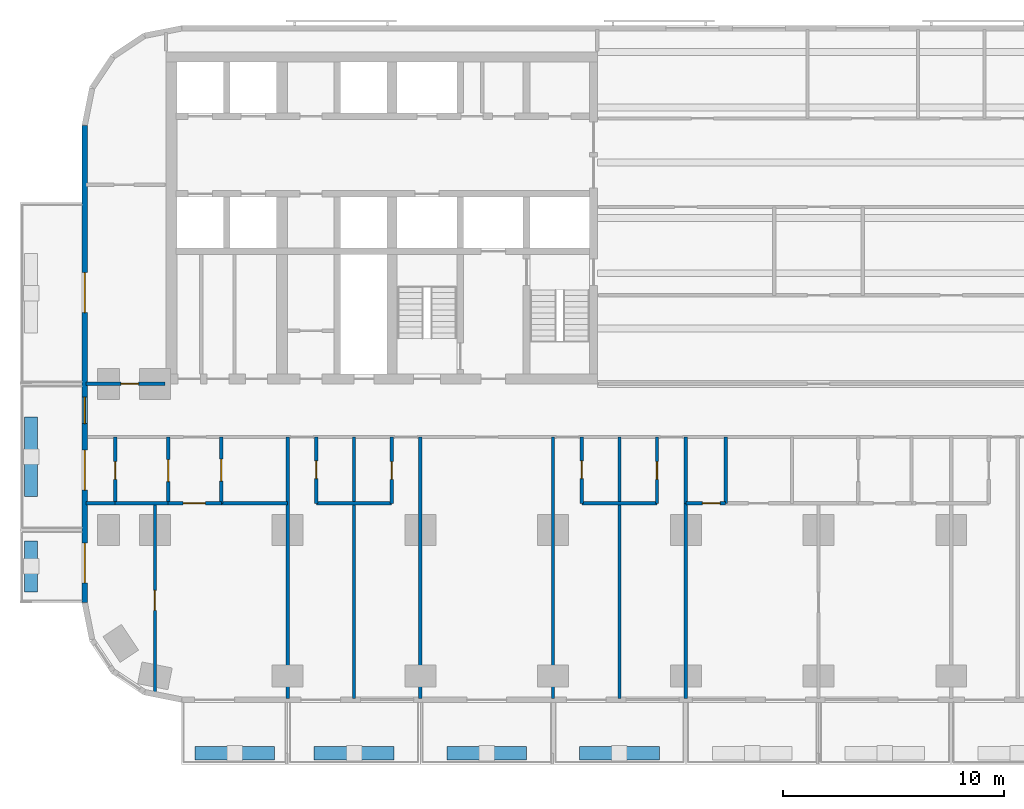
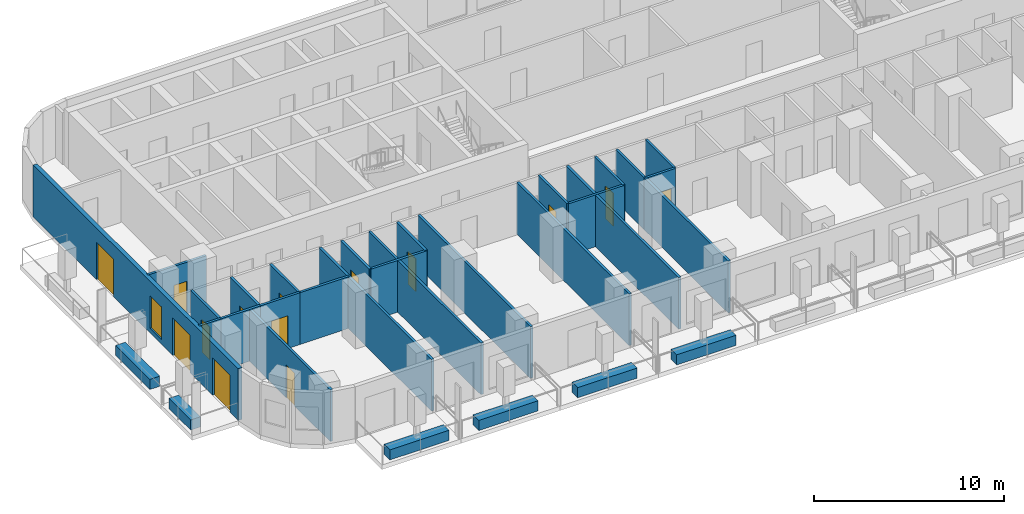
# One storey, part 2 of 15: 31 walls, 14 doors, 1 window, 15 openings.
"""IFC4 building model written with IfcOpenShell, lengths in metres."""

from ifc_helpers import new_model, si_unit, direction, frame, frame_2d, origin, place, context, subcontext, project, spatial, rectangle, extrude, material, layer, layer_set, type_object, element, fill, save


model = new_model("IFC4")

# Units and contexts
model_context = context("Model", 3, precision=1e-05, world=origin(), true_north=direction((0.0, 1.0)))
body_context = subcontext(model_context, "Body", "Model", "MODEL_VIEW")
ifc_project = project(units=[si_unit("LENGTHUNIT", "METRE"), si_unit("AREAUNIT", "SQUARE_METRE"), si_unit("VOLUMEUNIT", "CUBIC_METRE"), si_unit("PLANEANGLEUNIT", "RADIAN"), si_unit("MASSUNIT", "GRAM", prefix="KILO")], contexts=[model_context])

# Site, building, storey
site_placement = place(None, origin())
site = spatial("IfcSite", under=ifc_project, at=site_placement, CompositionType="ELEMENT")
building_placement = place(site_placement, origin())
building = spatial("IfcBuilding", under=site, at=building_placement, Name="Torana Hotel and Residences", CompositionType="ELEMENT")
storey_placement = place(building_placement, frame((0.0, 0.0, 45.60009765625)))
storey = spatial("IfcBuildingStorey", under=building, at=storey_placement, Name="L10", CompositionType="ELEMENT", Elevation=45.60009765625)

# Wall, openings, doors, window
ifc_material_1 = material(Name="Black aluminium composite panel", Category="aluminium")
ifc_layer_1 = layer(ifc_material_1, 0.00390625, Name="Cladding", Category="cladding")
ifc_material_2 = material(Name="Ventilated air cavity")
ifc_layer_2 = layer(ifc_material_2, 0.0400390625, Name="Ventilated cavity", Category="cavity")
ifc_material_3 = material(Name="Mineral wool insulation")
ifc_layer_3 = layer(ifc_material_3, 0.090087890625, Name="Insulation", Category="insulation")
ifc_material_4 = material(Name="Steel S280GD", Category="steel")
ifc_layer_4 = layer(ifc_material_4, 0.092041015625, Name="Steel stud frame", Category="structure")
ifc_material_5 = material(Name="Fire rated plasterboard")
ifc_layer_5 = layer(ifc_material_5, 0.011962890625, Name="Inner board", Category="finish")
ifc_layer_6 = layer(ifc_material_5, 0.011962890625, Name="Second board", Category="finish")
ifc_layer_set_1 = layer_set([ifc_layer_1, ifc_layer_2, ifc_layer_3, ifc_layer_4, ifc_layer_5, ifc_layer_6], Name="EW1 EXTERNAL WALL BLACK METAL CLAD 250")
wall_type_1 = type_object("IfcWallType", Name="EW1 EXTERNAL WALL BLACK METAL CLAD 250", PredefinedType="SOLIDWALL", material=ifc_layer_set_1)
wall_1_placement = place(storey_placement, frame((-33.175048828125, -3.32470703125, 0.0), z_axis=(0.0, 0.0, 1.0), x_axis=(0.0, -1.0, 0.0)))
wall_1 = element("IfcWall", 1, at=wall_1_placement, inside=storey, type_object=wall_type_1, Name="External wall L10 e0.9", PredefinedType="SOLIDWALL", context=body_context, shape_type="SweptSolid", body=[
    extrude(rectangle(XDim=21.55078125, YDim=0.25, at=frame_2d((10.775390625, 0.0))), origin(), (0.0, 0.0, 1.0), 3.31982421875),
])
opening_1_placement = place(wall_1_placement, frame((6.650390625, 0.0, 0.0)))
opening_1 = element("IfcOpeningElement", 2, at=opening_1_placement, cuts=wall_1, Name="Opening L10-E14", PredefinedType="OPENING", context=body_context, shape_type="SweptSolid", body=[
    extrude(rectangle(XDim=1.800048828125, YDim=2.39990234375, at=frame_2d((0.89990234375, 1.199951171875))), frame((0.0, 0.135009765625, 0.0), z_axis=(0.0, -1.0, 0.0), x_axis=(1.0, 0.0, 0.0)), (0.0, 0.0, 1.0), 0.27001953125),
])
opening_2_placement = place(wall_1_placement, frame((12.275390625, 0.0, 0.300048828125)))
opening_2 = element("IfcOpeningElement", 3, at=opening_2_placement, cuts=wall_1, Name="Opening W7", PredefinedType="OPENING", context=body_context, shape_type="SweptSolid", body=[
    extrude(rectangle(XDim=1.199951171875, YDim=2.10009765625, at=frame_2d((0.60009765625, 1.050048828125))), frame((0.0, 0.135009765625, 0.0), z_axis=(0.0, -1.0, 0.0), x_axis=(1.0, 0.0, 0.0)), (0.0, 0.0, 1.0), 0.27001953125),
])
opening_3_placement = place(wall_1_placement, frame((14.67529296875, 0.0, 0.0)))
opening_3 = element("IfcOpeningElement", 4, at=opening_3_placement, cuts=wall_1, Name="Opening L10-E15", PredefinedType="OPENING", context=body_context, shape_type="SweptSolid", body=[
    extrude(rectangle(XDim=1.800048828125, YDim=2.39990234375, at=frame_2d((0.89990234375, 1.199951171875))), frame((0.0, 0.135009765625, 0.0), z_axis=(0.0, -1.0, 0.0), x_axis=(1.0, 0.0, 0.0)), (0.0, 0.0, 1.0), 0.27001953125),
])
opening_4_placement = place(wall_1_placement, frame((18.87548828125, 0.0, 0.0)))
opening_4 = element("IfcOpeningElement", 5, at=opening_4_placement, cuts=wall_1, Name="Opening L10-E16", PredefinedType="OPENING", context=body_context, shape_type="SweptSolid", body=[
    extrude(rectangle(XDim=1.800048828125, YDim=2.39990234375, at=frame_2d((0.89990234375, 1.199951171875))), frame((0.0, 0.135009765625, 0.0), z_axis=(0.0, -1.0, 0.0), x_axis=(1.0, 0.0, 0.0)), (0.0, 0.0, 1.0), 0.27001953125),
])
ifc_material_6 = material(Name="Dark glass in black aluminium frame", Category="aluminium")
door_type_1 = type_object("IfcDoorType", Name="DB1 BALCONY DOOR 1800x2400", OperationType="DOUBLE_DOOR_SINGLE_SWING", PredefinedType="DOOR", material=ifc_material_6)
door_1_placement = place(opening_1_placement, origin())
door_1 = element("IfcDoor", 6, at=door_1_placement, inside=storey, type_object=door_type_1, Name="Balcony door L10", OperationType="DOUBLE_DOOR_SINGLE_SWING", OverallHeight=2.39990234375, OverallWidth=1.800048828125, PredefinedType="DOOR", context=body_context, shape_type="SweptSolid", body=[
    extrude(rectangle(XDim=1.800048828125, YDim=2.39990234375, at=frame_2d((0.89990234375, 1.199951171875))), frame((0.0, 0.02490234375, 0.0), z_axis=(0.0, -1.0, 0.0), x_axis=(1.0, 0.0, 0.0)), (0.0, 0.0, 1.0), 0.050048828125),
])
fill(opening_1, door_1)
door_2_placement = place(opening_3_placement, origin())
door_2 = element("IfcDoor", 7, at=door_2_placement, inside=storey, type_object=door_type_1, Name="Balcony door L10", OperationType="DOUBLE_DOOR_SINGLE_SWING", OverallHeight=2.39990234375, OverallWidth=1.800048828125, PredefinedType="DOOR", context=body_context, shape_type="SweptSolid", body=[
    extrude(rectangle(XDim=1.800048828125, YDim=2.39990234375, at=frame_2d((0.89990234375, 1.199951171875))), frame((0.0, 0.02490234375, 0.0), z_axis=(0.0, -1.0, 0.0), x_axis=(1.0, 0.0, 0.0)), (0.0, 0.0, 1.0), 0.050048828125),
])
fill(opening_3, door_2)
door_3_placement = place(opening_4_placement, frame((0.89990234375, 0.0, 0.0), z_axis=(0.0, 0.0, 1.0), x_axis=(-1.0, 0.0, 0.0)))
door_3 = element("IfcDoor", 8, at=door_3_placement, inside=storey, type_object=door_type_1, Name="Balcony door L10", OperationType="DOUBLE_DOOR_SINGLE_SWING", OverallHeight=2.39990234375, OverallWidth=1.800048828125, PredefinedType="DOOR", context=body_context, shape_type="SweptSolid", body=[
    extrude(rectangle(XDim=1.800048828125, YDim=2.39990234375, at=frame_2d((0.0, 1.199951171875))), frame((0.0, -0.02490234375, 0.0), z_axis=(0.0, 1.0, 0.0), x_axis=(-1.0, 0.0, 0.0)), (0.0, 0.0, 1.0), 0.050048828125),
])
fill(opening_4, door_3)
ifc_material_7 = material(Name="Dark glass in black aluminium frame", Category="aluminium")
window_type = type_object("IfcWindowType", Name="W7 HOTEL CORRIDOR WINDOW 1200x2100", PartitioningType="SINGLE_PANEL", PredefinedType="WINDOW", material=ifc_material_7)
window_placement = place(opening_2_placement, origin())
window = element("IfcWindow", 9, at=window_placement, inside=storey, type_object=window_type, Name="Window L10", OverallHeight=2.10009765625, OverallWidth=1.199951171875, PartitioningType="SINGLE_PANEL", PredefinedType="WINDOW", context=body_context, shape_type="SweptSolid", body=[
    extrude(rectangle(XDim=1.199951171875, YDim=2.10009765625, at=frame_2d((0.60009765625, 1.050048828125))), frame((0.0, 0.030029296875, 0.0), z_axis=(0.0, -1.0, 0.0), x_axis=(1.0, 0.0, 0.0)), (0.0, 0.0, 1.0), 0.06005859375),
])
fill(opening_2, window)

# Wall, opening, door
ifc_material_8 = material(Name="Gypsum plaster")
ifc_layer_7 = layer(ifc_material_8, 0.014892578125, Name="Plaster", Category="finish")
ifc_material_9 = material(Name="Concrete blockwork", Category="masonry")
ifc_layer_8 = layer(ifc_material_9, 0.1201171875, Name="Blockwork", Category="structure")
ifc_layer_9 = layer(ifc_material_8, 0.014892578125, Name="Plaster", Category="finish")
ifc_layer_set_2 = layer_set([ifc_layer_7, ifc_layer_8, ifc_layer_9], Name="FIRE PARTITION 150 BLOCKWORK")
wall_type_2 = type_object("IfcWallType", Name="FIRE PARTITION 150 BLOCKWORK", PredefinedType="PARTITIONING", material=ifc_layer_set_2)
wall_2_placement = place(storey_placement, frame((-27.0, -20.39990234375, 0.0), z_axis=(0.0, 0.0, 1.0), x_axis=(0.0, 1.0, 0.0)))
wall_2 = element("IfcWall", 10, at=wall_2_placement, inside=storey, type_object=wall_type_2, Name="Partition L10", PredefinedType="PARTITIONING", context=body_context, shape_type="SweptSolid", body=[
    extrude(rectangle(XDim=3.0, YDim=0.14990234375, at=frame_2d((1.5, 0.0))), origin(), (0.0, 0.0, 1.0), 3.31982421875),
])
opening_5_placement = place(wall_2_placement, frame((1.0, 0.0, 0.0)))
opening_5 = element("IfcOpeningElement", 11, at=opening_5_placement, cuts=wall_2, Name="Opening L10-77", PredefinedType="OPENING", context=body_context, shape_type="SweptSolid", body=[
    extrude(rectangle(XDim=1.0, YDim=2.10009765625, at=frame_2d((0.5, 1.050048828125))), frame((0.0, 0.0849609375, 0.0), z_axis=(0.0, -1.0, 0.0), x_axis=(1.0, 0.0, 0.0)), (0.0, 0.0, 1.0), 0.169921875),
])
ifc_material_10 = material(Name="Steel S235", Category="steel")
door_type_2 = type_object("IfcDoorType", Name="ENTRY FIRE DOOR D6 1000x2100", OperationType="SINGLE_SWING_LEFT", PredefinedType="DOOR", material=ifc_material_10)
door_4_placement = place(opening_5_placement, frame((0.5, 0.0, 0.0), z_axis=(0.0, 0.0, 1.0), x_axis=(-1.0, 0.0, 0.0)))
door_4 = element("IfcDoor", 12, at=door_4_placement, inside=storey, type_object=door_type_2, Name="Door L10", OperationType="SINGLE_SWING_LEFT", OverallHeight=2.10009765625, OverallWidth=1.0, PredefinedType="DOOR", context=body_context, shape_type="SweptSolid", body=[
    extrude(rectangle(XDim=1.0, YDim=2.10009765625, at=frame_2d((0.0, 1.050048828125))), frame((0.0, -0.02490234375, 0.0), z_axis=(0.0, 1.0, 0.0), x_axis=(-1.0, 0.0, 0.0)), (0.0, 0.0, 1.0), 0.050048828125),
])
fill(opening_5, door_4)

wall_3_placement = place(storey_placement, frame((-29.39990234375, -20.39990234375, 0.0), z_axis=(0.0, 0.0, 1.0), x_axis=(0.0, 1.0, 0.0)))
wall_3 = element("IfcWall", 13, at=wall_3_placement, inside=storey, type_object=wall_type_2, Name="Partition L10", PredefinedType="PARTITIONING", context=body_context, shape_type="SweptSolid", body=[
    extrude(rectangle(XDim=3.0, YDim=0.14990234375, at=frame_2d((1.5, 0.0))), origin(), (0.0, 0.0, 1.0), 3.31982421875),
])
opening_6_placement = place(wall_3_placement, frame((0.97998046875, 0.0, 0.0)))
opening_6 = element("IfcOpeningElement", 14, at=opening_6_placement, cuts=wall_3, Name="Opening L10-78", PredefinedType="OPENING", context=body_context, shape_type="SweptSolid", body=[
    extrude(rectangle(XDim=1.0, YDim=2.10009765625, at=frame_2d((0.5, 1.050048828125))), frame((0.0, 0.0849609375, 0.0), z_axis=(0.0, -1.0, 0.0), x_axis=(1.0, 0.0, 0.0)), (0.0, 0.0, 1.0), 0.169921875),
])
door_5_placement = place(opening_6_placement, origin())
door_5 = element("IfcDoor", 15, at=door_5_placement, inside=storey, type_object=door_type_2, Name="Door L10", OperationType="SINGLE_SWING_RIGHT", OverallHeight=2.10009765625, OverallWidth=1.0, PredefinedType="DOOR", context=body_context, shape_type="SweptSolid", body=[
    extrude(rectangle(XDim=1.0, YDim=2.10009765625, at=frame_2d((0.5, 1.050048828125))), frame((0.0, 0.02490234375, 0.0), z_axis=(0.0, -1.0, 0.0), x_axis=(1.0, 0.0, 0.0)), (0.0, 0.0, 1.0), 0.050048828125),
])
fill(opening_6, door_5)

wall_4_placement = place(storey_placement, frame((-29.39990234375, -20.39990234375, 0.0), z_axis=(0.0, 0.0, 1.0), x_axis=(1.0, 0.0, 0.0)))
wall_4 = element("IfcWall", 16, at=wall_4_placement, inside=storey, type_object=wall_type_2, Name="Partition L10", PredefinedType="PARTITIONING", context=body_context, shape_type="SweptSolid", body=[
    extrude(rectangle(XDim=2.39990234375, YDim=0.14990234375, at=frame_2d((1.199951171875, 0.0))), origin(), (0.0, 0.0, 1.0), 3.31982421875),
])
opening_7_placement = place(wall_4_placement, frame((0.679931640625, 0.0, 0.0)))
opening_7 = element("IfcOpeningElement", 17, at=opening_7_placement, cuts=wall_4, Name="Opening L10-79", PredefinedType="OPENING", context=body_context, shape_type="SweptSolid", body=[
    extrude(rectangle(XDim=1.0, YDim=2.10009765625, at=frame_2d((0.5, 1.050048828125))), frame((0.0, 0.0849609375, 0.0), z_axis=(0.0, -1.0, 0.0), x_axis=(1.0, 0.0, 0.0)), (0.0, 0.0, 1.0), 0.169921875),
])
door_6_placement = place(opening_7_placement, frame((0.5, 0.0, 0.0), z_axis=(0.0, 0.0, 1.0), x_axis=(-1.0, 0.0, 0.0)))
door_6 = element("IfcDoor", 18, at=door_6_placement, inside=storey, type_object=door_type_2, Name="Door L10", OperationType="SINGLE_SWING_LEFT", OverallHeight=2.10009765625, OverallWidth=1.0, PredefinedType="DOOR", context=body_context, shape_type="SweptSolid", body=[
    extrude(rectangle(XDim=1.0, YDim=2.10009765625, at=frame_2d((0.0, 1.050048828125))), frame((0.0, -0.02490234375, 0.0), z_axis=(0.0, 1.0, 0.0), x_axis=(-1.0, 0.0, 0.0)), (0.0, 0.0, 1.0), 0.050048828125),
])
fill(opening_7, door_6)

wall_5_placement = place(storey_placement, frame((-33.1201171875, -15.0, 0.0), z_axis=(0.0, 0.0, 1.0), x_axis=(1.0, 0.0, 0.0)))
wall_5 = element("IfcWall", 19, at=wall_5_placement, inside=storey, type_object=wall_type_2, Name="Partition L10", PredefinedType="PARTITIONING", context=body_context, shape_type="SweptSolid", body=[
    extrude(rectangle(XDim=3.570068359375, YDim=0.14990234375, at=frame_2d((1.78515625, 0.0))), origin(), (0.0, 0.0, 1.0), 3.31982421875),
])
opening_8_placement = place(wall_5_placement, frame((1.580078125, 0.0, 0.0)))
opening_8 = element("IfcOpeningElement", 20, at=opening_8_placement, cuts=wall_5, Name="Opening L10-52", PredefinedType="OPENING", context=body_context, shape_type="SweptSolid", body=[
    extrude(rectangle(XDim=0.800048828125, YDim=2.10009765625, at=frame_2d((0.39990234375, 1.050048828125))), frame((0.0, 0.0849609375, 0.0), z_axis=(0.0, -1.0, 0.0), x_axis=(1.0, 0.0, 0.0)), (0.0, 0.0, 1.0), 0.169921875),
])
ifc_material_11 = material(Name="Steel S235", Category="steel")
door_type_3 = type_object("IfcDoorType", Name="STORE FIRE DOOR D16 800x2100", OperationType="SINGLE_SWING_LEFT", PredefinedType="DOOR", material=ifc_material_11)
door_7_placement = place(opening_8_placement, origin())
door_7 = element("IfcDoor", 21, at=door_7_placement, inside=storey, type_object=door_type_3, Name="Door L10", OperationType="SINGLE_SWING_RIGHT", OverallHeight=2.10009765625, OverallWidth=0.800048828125, PredefinedType="DOOR", context=body_context, shape_type="SweptSolid", body=[
    extrude(rectangle(XDim=0.800048828125, YDim=2.10009765625, at=frame_2d((0.39990234375, 1.050048828125))), frame((0.0, 0.02490234375, 0.0), z_axis=(0.0, -1.0, 0.0), x_axis=(1.0, 0.0, 0.0)), (0.0, 0.0, 1.0), 0.050048828125),
])
fill(opening_8, door_7)

# Wall
ifc_material_12 = material(Name="Gypsum plasterboard")
ifc_layer_10 = layer(ifc_material_12, 0.012451171875, Name="Plasterboard", Category="finish")
ifc_layer_11 = layer(ifc_material_12, 0.012451171875, Name="Plasterboard", Category="finish")
ifc_layer_12 = layer(ifc_material_4, 0.10009765625, Name="Steel studs with mineral wool", Category="insulation")
ifc_layer_13 = layer(ifc_material_12, 0.012451171875, Name="Plasterboard", Category="finish")
ifc_layer_14 = layer(ifc_material_12, 0.012451171875, Name="Plasterboard", Category="finish")
ifc_layer_set_3 = layer_set([ifc_layer_10, ifc_layer_11, ifc_layer_12, ifc_layer_13, ifc_layer_14], Name="PARTITION 150 PLASTERBOARD")
wall_type_3 = type_object("IfcWallType", Name="PARTITION 150 PLASTERBOARD", PredefinedType="PARTITIONING", material=ifc_layer_set_3)
wall_6_placement = place(storey_placement, frame((-6.0, -29.219970703125, 0.0), z_axis=(0.0, 0.0, 1.0), x_axis=(0.0, 1.0, 0.0)))
element("IfcWall", 22, at=wall_6_placement, inside=storey, type_object=wall_type_3, Name="Partition L10", PredefinedType="PARTITIONING", context=body_context, shape_type="SweptSolid", body=[
    extrude(rectangle(XDim=8.820068359375, YDim=0.14990234375, at=frame_2d((4.41015625, 0.0))), origin(), (0.0, 0.0, 1.0), 3.31982421875),
])

# Wall, opening, door
wall_7_placement = place(storey_placement, frame((-7.300048828125, -20.39990234375, 0.0), z_axis=(0.0, 0.0, 1.0), x_axis=(0.0, 1.0, 0.0)))
wall_7 = element("IfcWall", 23, at=wall_7_placement, inside=storey, type_object=wall_type_3, Name="Partition L10", PredefinedType="PARTITIONING", context=body_context, shape_type="SweptSolid", body=[
    extrude(rectangle(XDim=3.0, YDim=0.14990234375, at=frame_2d((1.5, 0.0))), origin(), (0.0, 0.0, 1.0), 3.31982421875),
])
opening_9_placement = place(wall_7_placement, frame((1.080078125, 0.0, 0.0)))
opening_9 = element("IfcOpeningElement", 24, at=opening_9_placement, cuts=wall_7, Name="Opening L10-65", PredefinedType="OPENING", context=body_context, shape_type="SweptSolid", body=[
    extrude(rectangle(XDim=0.800048828125, YDim=2.10009765625, at=frame_2d((0.39990234375, 1.050048828125))), frame((0.0, 0.0849609375, 0.0), z_axis=(0.0, -1.0, 0.0), x_axis=(1.0, 0.0, 0.0)), (0.0, 0.0, 1.0), 0.169921875),
])
ifc_material_13 = material(Name="Timber door, painted", Category="wood")
door_type_4 = type_object("IfcDoorType", Name="BATH DOOR D13 800x2100", OperationType="SINGLE_SWING_LEFT", PredefinedType="DOOR", material=ifc_material_13)
door_8_placement = place(opening_9_placement, origin())
door_8 = element("IfcDoor", 25, at=door_8_placement, inside=storey, type_object=door_type_4, Name="Door L10", OperationType="SINGLE_SWING_RIGHT", OverallHeight=2.10009765625, OverallWidth=0.800048828125, PredefinedType="DOOR", context=body_context, shape_type="SweptSolid", body=[
    extrude(rectangle(XDim=0.800048828125, YDim=2.10009765625, at=frame_2d((0.39990234375, 1.050048828125))), frame((0.0, 0.02490234375, 0.0), z_axis=(0.0, -1.0, 0.0), x_axis=(1.0, 0.0, 0.0)), (0.0, 0.0, 1.0), 0.050048828125),
])
fill(opening_9, door_8)

# Wall
wall_8_placement = place(storey_placement, frame((-9.0, -29.219970703125, 0.0), z_axis=(0.0, 0.0, 1.0), x_axis=(0.0, 1.0, 0.0)))
element("IfcWall", 26, at=wall_8_placement, inside=storey, type_object=wall_type_3, Name="Partition L10", PredefinedType="PARTITIONING", context=body_context, shape_type="SweptSolid", body=[
    extrude(rectangle(XDim=11.820068359375, YDim=0.14990234375, at=frame_2d((5.91015625, 0.0))), origin(), (0.0, 0.0, 1.0), 3.31982421875),
])

# Wall, opening, door
wall_9_placement = place(storey_placement, frame((-10.699951171875, -20.39990234375, 0.0), z_axis=(0.0, 0.0, 1.0), x_axis=(0.0, 1.0, 0.0)))
wall_9 = element("IfcWall", 27, at=wall_9_placement, inside=storey, type_object=wall_type_3, Name="Partition L10", PredefinedType="PARTITIONING", context=body_context, shape_type="SweptSolid", body=[
    extrude(rectangle(XDim=3.0, YDim=0.14990234375, at=frame_2d((1.5, 0.0))), origin(), (0.0, 0.0, 1.0), 3.31982421875),
])
opening_10_placement = place(wall_9_placement, frame((1.1201171875, 0.0, 0.0)))
opening_10 = element("IfcOpeningElement", 28, at=opening_10_placement, cuts=wall_9, Name="Opening L10-64", PredefinedType="OPENING", context=body_context, shape_type="SweptSolid", body=[
    extrude(rectangle(XDim=0.800048828125, YDim=2.10009765625, at=frame_2d((0.39990234375, 1.050048828125))), frame((0.0, 0.0849609375, 0.0), z_axis=(0.0, -1.0, 0.0), x_axis=(1.0, 0.0, 0.0)), (0.0, 0.0, 1.0), 0.169921875),
])
door_9_placement = place(opening_10_placement, origin())
door_9 = element("IfcDoor", 29, at=door_9_placement, inside=storey, type_object=door_type_4, Name="Door L10", OperationType="SINGLE_SWING_LEFT", OverallHeight=2.10009765625, OverallWidth=0.800048828125, PredefinedType="DOOR", context=body_context, shape_type="SweptSolid", body=[
    extrude(rectangle(XDim=0.800048828125, YDim=2.10009765625, at=frame_2d((0.39990234375, 1.050048828125))), frame((0.0, 0.02490234375, 0.0), z_axis=(0.0, -1.0, 0.0), x_axis=(1.0, 0.0, 0.0)), (0.0, 0.0, 1.0), 0.050048828125),
])
fill(opening_10, door_9)

# Walls
for number, where, z_axis, x_axis, name in (
    (30, (-12.0, -29.219970703125, 0.0), (0.0, 0.0, 1.0), (0.0, 1.0, 0.0), "Partition L10"),
    (31, (-18.0, -29.219970703125, 0.0), (0.0, 0.0, 1.0), (0.0, 1.0, 0.0), "Partition L10"),
):
    element("IfcWall", number, at=place(storey_placement, frame(where, z_axis=z_axis, x_axis=x_axis)), inside=storey, type_object=wall_type_3, Name=name, PredefinedType="PARTITIONING", context=body_context, shape_type="SweptSolid", body=[
        extrude(rectangle(XDim=11.820068359375, YDim=0.14990234375, at=frame_2d((5.91015625, 0.0))), origin(), (0.0, 0.0, 1.0), 3.31982421875),
    ])

# Wall, opening, door
wall_10_placement = place(storey_placement, frame((-19.300048828125, -20.39990234375, 0.0), z_axis=(0.0, 0.0, 1.0), x_axis=(0.0, 1.0, 0.0)))
wall_10 = element("IfcWall", 32, at=wall_10_placement, inside=storey, type_object=wall_type_3, Name="Partition L10", PredefinedType="PARTITIONING", context=body_context, shape_type="SweptSolid", body=[
    extrude(rectangle(XDim=3.0, YDim=0.14990234375, at=frame_2d((1.5, 0.0))), origin(), (0.0, 0.0, 1.0), 3.31982421875),
])
opening_11_placement = place(wall_10_placement, frame((1.080078125, 0.0, 0.0)))
opening_11 = element("IfcOpeningElement", 33, at=opening_11_placement, cuts=wall_10, Name="Opening L10-63", PredefinedType="OPENING", context=body_context, shape_type="SweptSolid", body=[
    extrude(rectangle(XDim=0.800048828125, YDim=2.10009765625, at=frame_2d((0.39990234375, 1.050048828125))), frame((0.0, 0.0849609375, 0.0), z_axis=(0.0, -1.0, 0.0), x_axis=(1.0, 0.0, 0.0)), (0.0, 0.0, 1.0), 0.169921875),
])
door_10_placement = place(opening_11_placement, origin())
door_10 = element("IfcDoor", 34, at=door_10_placement, inside=storey, type_object=door_type_4, Name="Door L10", OperationType="SINGLE_SWING_RIGHT", OverallHeight=2.10009765625, OverallWidth=0.800048828125, PredefinedType="DOOR", context=body_context, shape_type="SweptSolid", body=[
    extrude(rectangle(XDim=0.800048828125, YDim=2.10009765625, at=frame_2d((0.39990234375, 1.050048828125))), frame((0.0, 0.02490234375, 0.0), z_axis=(0.0, -1.0, 0.0), x_axis=(1.0, 0.0, 0.0)), (0.0, 0.0, 1.0), 0.050048828125),
])
fill(opening_11, door_10)

# Wall
wall_11_placement = place(storey_placement, frame((-21.0, -29.219970703125, 0.0), z_axis=(0.0, 0.0, 1.0), x_axis=(0.0, 1.0, 0.0)))
element("IfcWall", 35, at=wall_11_placement, inside=storey, type_object=wall_type_3, Name="Partition L10", PredefinedType="PARTITIONING", context=body_context, shape_type="SweptSolid", body=[
    extrude(rectangle(XDim=11.820068359375, YDim=0.14990234375, at=frame_2d((5.91015625, 0.0))), origin(), (0.0, 0.0, 1.0), 3.31982421875),
])

# Wall, opening, door
wall_12_placement = place(storey_placement, frame((-22.699951171875, -20.39990234375, 0.0), z_axis=(0.0, 0.0, 1.0), x_axis=(0.0, 1.0, 0.0)))
wall_12 = element("IfcWall", 36, at=wall_12_placement, inside=storey, type_object=wall_type_3, Name="Partition L10", PredefinedType="PARTITIONING", context=body_context, shape_type="SweptSolid", body=[
    extrude(rectangle(XDim=3.0, YDim=0.14990234375, at=frame_2d((1.5, 0.0))), origin(), (0.0, 0.0, 1.0), 3.31982421875),
])
opening_12_placement = place(wall_12_placement, frame((1.1201171875, 0.0, 0.0)))
opening_12 = element("IfcOpeningElement", 37, at=opening_12_placement, cuts=wall_12, Name="Opening L10-62", PredefinedType="OPENING", context=body_context, shape_type="SweptSolid", body=[
    extrude(rectangle(XDim=0.800048828125, YDim=2.10009765625, at=frame_2d((0.39990234375, 1.050048828125))), frame((0.0, 0.0849609375, 0.0), z_axis=(0.0, -1.0, 0.0), x_axis=(1.0, 0.0, 0.0)), (0.0, 0.0, 1.0), 0.169921875),
])
door_11_placement = place(opening_12_placement, origin())
door_11 = element("IfcDoor", 38, at=door_11_placement, inside=storey, type_object=door_type_4, Name="Door L10", OperationType="SINGLE_SWING_LEFT", OverallHeight=2.10009765625, OverallWidth=0.800048828125, PredefinedType="DOOR", context=body_context, shape_type="SweptSolid", body=[
    extrude(rectangle(XDim=0.800048828125, YDim=2.10009765625, at=frame_2d((0.39990234375, 1.050048828125))), frame((0.0, 0.02490234375, 0.0), z_axis=(0.0, -1.0, 0.0), x_axis=(1.0, 0.0, 0.0)), (0.0, 0.0, 1.0), 0.050048828125),
])
fill(opening_12, door_11)

# Wall
wall_13_placement = place(storey_placement, frame((-24.0, -29.219970703125, 0.0), z_axis=(0.0, 0.0, 1.0), x_axis=(0.0, 1.0, 0.0)))
element("IfcWall", 39, at=wall_13_placement, inside=storey, type_object=wall_type_3, Name="Partition L10", PredefinedType="PARTITIONING", context=body_context, shape_type="SweptSolid", body=[
    extrude(rectangle(XDim=11.820068359375, YDim=0.14990234375, at=frame_2d((5.91015625, 0.0))), origin(), (0.0, 0.0, 1.0), 3.31982421875),
])

# Wall, opening, door
wall_14_placement = place(storey_placement, frame((-30.0, -28.977783203125, 0.0), z_axis=(0.0, 0.0, 1.0), x_axis=(0.0, 1.0, 0.0)))
wall_14 = element("IfcWall", 40, at=wall_14_placement, inside=storey, type_object=wall_type_3, Name="Partition L10", PredefinedType="PARTITIONING", context=body_context, shape_type="SweptSolid", body=[
    extrude(rectangle(XDim=8.577880859375, YDim=0.14990234375, at=frame_2d((4.2890625, 0.0))), origin(), (0.0, 0.0, 1.0), 3.31982421875),
])
opening_13_placement = place(wall_14_placement, frame((3.73681640625, 0.0, 0.0)))
opening_13 = element("IfcOpeningElement", 41, at=opening_13_placement, cuts=wall_14, Name="Opening L10-81", PredefinedType="OPENING", context=body_context, shape_type="SweptSolid", body=[
    extrude(rectangle(XDim=0.89990234375, YDim=2.10009765625, at=frame_2d((0.449951171875, 1.050048828125))), frame((0.0, 0.0849609375, 0.0), z_axis=(0.0, -1.0, 0.0), x_axis=(1.0, 0.0, 0.0)), (0.0, 0.0, 1.0), 0.169921875),
])
ifc_material_14 = material(Name="Timber door, oiled ash", Category="wood")
door_type_5 = type_object("IfcDoorType", Name="ROOM DOOR D7 900x2100", OperationType="SINGLE_SWING_LEFT", PredefinedType="DOOR", material=ifc_material_14)
door_12_placement = place(opening_13_placement, origin())
door_12 = element("IfcDoor", 42, at=door_12_placement, inside=storey, type_object=door_type_5, Name="Door L10", OperationType="SINGLE_SWING_RIGHT", OverallHeight=2.10009765625, OverallWidth=0.89990234375, PredefinedType="DOOR", context=body_context, shape_type="SweptSolid", body=[
    extrude(rectangle(XDim=0.89990234375, YDim=2.10009765625, at=frame_2d((0.449951171875, 1.050048828125))), frame((0.0, 0.02490234375, 0.0), z_axis=(0.0, -1.0, 0.0), x_axis=(1.0, 0.0, 0.0)), (0.0, 0.0, 1.0), 0.050048828125),
])
fill(opening_13, door_12)

# Walls
wall_15_placement = place(storey_placement, frame((-31.800048828125, -20.39990234375, 0.0), z_axis=(0.0, 0.0, 1.0), x_axis=(1.0, 0.0, 0.0)))
element("IfcWall", 43, at=wall_15_placement, inside=storey, type_object=wall_type_3, Name="Partition L10", PredefinedType="PARTITIONING", context=body_context, shape_type="SweptSolid", body=[
    extrude(rectangle(XDim=2.400146484375, YDim=0.14990234375, at=frame_2d((1.2001953125, 0.0))), origin(), (0.0, 0.0, 1.0), 3.31982421875),
])
wall_16_placement = place(storey_placement, frame((-27.0, -20.39990234375, 0.0), z_axis=(0.0, 0.0, 1.0), x_axis=(1.0, 0.0, 0.0)))
element("IfcWall", 44, at=wall_16_placement, inside=storey, type_object=wall_type_3, Name="Partition L10", PredefinedType="PARTITIONING", context=body_context, shape_type="SweptSolid", body=[
    extrude(rectangle(XDim=3.0, YDim=0.14990234375, at=frame_2d((1.5, 0.0))), origin(), (0.0, 0.0, 1.0), 3.31982421875),
])
for number, where, z_axis, x_axis, name in (
    (45, (-22.699951171875, -20.39990234375, 0.0), (0.0, 0.0, 1.0), (1.0, 0.0, 0.0), "Partition L10"),
    (46, (-10.699951171875, -20.39990234375, 0.0), (0.0, 0.0, 1.0), (1.0, 0.0, 0.0), "Partition L10"),
):
    element("IfcWall", number, at=place(storey_placement, frame(where, z_axis=z_axis, x_axis=x_axis)), inside=storey, type_object=wall_type_3, Name=name, PredefinedType="PARTITIONING", context=body_context, shape_type="SweptSolid", body=[
        extrude(rectangle(XDim=3.39990234375, YDim=0.14990234375, at=frame_2d((1.699951171875, 0.0))), origin(), (0.0, 0.0, 1.0), 3.31982421875),
    ])
ifc_material_15 = material(Name="Concrete C40/50 precast", Category="concrete")
ifc_layer_15 = layer(ifc_material_15, 0.10009765625, Name="Planter shell", Category="structure")
ifc_material_16 = material(Name="Root resistant membrane")
ifc_layer_16 = layer(ifc_material_16, 0.00390625, Name="Waterproofing membrane", Category="membrane")
ifc_material_17 = material(Name="Drainage board with filter fleece")
ifc_layer_17 = layer(ifc_material_17, 0.02001953125, Name="Drainage board", Category="drainage")
ifc_material_18 = material(Name="Growing medium")
ifc_layer_18 = layer(ifc_material_18, 0.47607421875, Name="Planting substrate", Category="soil")
ifc_layer_set_4 = layer_set([ifc_layer_15, ifc_layer_16, ifc_layer_17, ifc_layer_18], Name="PL1 BALCONY PLANTER 600")
wall_type_4 = type_object("IfcWallType", Name="PL1 BALCONY PLANTER 600", PredefinedType="USERDEFINED", material=ifc_layer_set_4)
wall_17_placement = place(storey_placement, frame((-24.60009765625, -31.699951171875, 0.0), z_axis=(0.0, 0.0, 1.0), x_axis=(-1.0, 0.0, 0.0)))
element("IfcWall", 47, at=wall_17_placement, inside=storey, type_object=wall_type_4, Name="Planter 01", ObjectType="PLANTER", PredefinedType="USERDEFINED", context=body_context, shape_type="SweptSolid", body=[
    extrude(rectangle(XDim=3.599853515625, YDim=0.60009765625, at=frame_2d((1.7998046875, 0.0))), origin(), (0.0, 0.0, 1.0), 0.64990234375),
])
for number, where, z_axis, x_axis, name in (
    (48, (-19.199951171875, -31.699951171875, 0.0), (0.0, 0.0, 1.0), (-1.0, 0.0, 0.0), "Planter 02"),
    (49, (-13.199951171875, -31.699951171875, 0.0), (0.0, 0.0, 1.0), (-1.0, 0.0, 0.0), "Planter 03"),
    (50, (-7.199951171875, -31.699951171875, 0.0), (0.0, 0.0, 1.0), (-1.0, 0.0, 0.0), "Planter 04"),
):
    element("IfcWall", number, at=place(storey_placement, frame(where, z_axis=z_axis, x_axis=x_axis)), inside=storey, type_object=wall_type_4, Name=name, ObjectType="PLANTER", PredefinedType="USERDEFINED", context=body_context, shape_type="SweptSolid", body=[
        extrude(rectangle(XDim=3.60009765625, YDim=0.60009765625, at=frame_2d((1.800048828125, 0.0))), origin(), (0.0, 0.0, 1.0), 0.64990234375),
    ])
wall_18_placement = place(storey_placement, frame((-35.60009765625, -24.39990234375, 0.0), z_axis=(0.0, 0.0, 1.0), x_axis=(0.0, 1.0, 0.0)))
element("IfcWall", 51, at=wall_18_placement, inside=storey, type_object=wall_type_4, Name="Planter 11", ObjectType="PLANTER", PredefinedType="USERDEFINED", context=body_context, shape_type="SweptSolid", body=[
    extrude(rectangle(XDim=2.2998046875, YDim=0.60009765625, at=frame_2d((1.14990234375, 0.0))), origin(), (0.0, 0.0, 1.0), 0.64990234375),
])
wall_19_placement = place(storey_placement, frame((-35.60009765625, -20.10009765625, 0.0), z_axis=(0.0, 0.0, 1.0), x_axis=(0.0, 1.0, 0.0)))
element("IfcWall", 52, at=wall_19_placement, inside=storey, type_object=wall_type_4, Name="Planter 12", ObjectType="PLANTER", PredefinedType="USERDEFINED", context=body_context, shape_type="SweptSolid", body=[
    extrude(rectangle(XDim=3.60009765625, YDim=0.60009765625, at=frame_2d((1.800048828125, 0.0))), origin(), (0.0, 0.0, 1.0), 0.64990234375),
])
ifc_material_19 = material(Name="Ceramic tile on adhesive")
ifc_layer_19 = layer(ifc_material_19, 0.010009765625, Name="Wall tile", Category="finish")
ifc_material_20 = material(Name="Cement render")
ifc_layer_20 = layer(ifc_material_20, 0.010009765625, Name="Render", Category="finish")
ifc_layer_21 = layer(ifc_material_9, 0.110107421875, Name="Blockwork", Category="structure")
ifc_layer_22 = layer(ifc_material_20, 0.010009765625, Name="Render", Category="finish")
ifc_layer_23 = layer(ifc_material_19, 0.010009765625, Name="Wall tile", Category="finish")
ifc_layer_set_5 = layer_set([ifc_layer_19, ifc_layer_20, ifc_layer_21, ifc_layer_22, ifc_layer_23], Name="WC PARTITION 150")
wall_type_5 = type_object("IfcWallType", Name="WC PARTITION 150", PredefinedType="PLUMBINGWALL", material=ifc_layer_set_5)
for number, where, z_axis, x_axis, name in (
    (53, (-4.199951171875, -20.39990234375, 0.0), (0.0, 0.0, 1.0), (0.0, 1.0, 0.0), "Partition L10"),
    (54, (-6.0, -20.39990234375, 0.0), (0.0, 0.0, 1.0), (0.0, 1.0, 0.0), "Partition L10"),
):
    element("IfcWall", number, at=place(storey_placement, frame(where, z_axis=z_axis, x_axis=x_axis)), inside=storey, type_object=wall_type_5, Name=name, PredefinedType="PLUMBINGWALL", context=body_context, shape_type="SweptSolid", body=[
        extrude(rectangle(XDim=3.0, YDim=0.14990234375, at=frame_2d((1.5, 0.0))), origin(), (0.0, 0.0, 1.0), 3.31982421875),
    ])

# Wall, opening, door
wall_20_placement = place(storey_placement, frame((-31.800048828125, -20.39990234375, 0.0), z_axis=(0.0, 0.0, 1.0), x_axis=(0.0, 1.0, 0.0)))
wall_20 = element("IfcWall", 55, at=wall_20_placement, inside=storey, type_object=wall_type_5, Name="Partition L10", PredefinedType="PLUMBINGWALL", context=body_context, shape_type="SweptSolid", body=[
    extrude(rectangle(XDim=3.0, YDim=0.14990234375, at=frame_2d((1.5, 0.0))), origin(), (0.0, 0.0, 1.0), 3.31982421875),
])
opening_14_placement = place(wall_20_placement, frame((1.080078125, 0.0, 0.0)))
opening_14 = element("IfcOpeningElement", 56, at=opening_14_placement, cuts=wall_20, Name="Opening L10-80", PredefinedType="OPENING", context=body_context, shape_type="SweptSolid", body=[
    extrude(rectangle(XDim=0.800048828125, YDim=2.10009765625, at=frame_2d((0.39990234375, 1.050048828125))), frame((0.0, 0.0849609375, 0.0), z_axis=(0.0, -1.0, 0.0), x_axis=(1.0, 0.0, 0.0)), (0.0, 0.0, 1.0), 0.169921875),
])
door_13_placement = place(opening_14_placement, origin())
door_13 = element("IfcDoor", 57, at=door_13_placement, inside=storey, type_object=door_type_4, Name="Door L10", OperationType="SINGLE_SWING_RIGHT", OverallHeight=2.10009765625, OverallWidth=0.800048828125, PredefinedType="DOOR", context=body_context, shape_type="SweptSolid", body=[
    extrude(rectangle(XDim=0.800048828125, YDim=2.10009765625, at=frame_2d((0.39990234375, 1.050048828125))), frame((0.0, 0.02490234375, 0.0), z_axis=(0.0, -1.0, 0.0), x_axis=(1.0, 0.0, 0.0)), (0.0, 0.0, 1.0), 0.050048828125),
])
fill(opening_14, door_13)

# Wall
wall_21_placement = place(storey_placement, frame((-33.1201171875, -20.39990234375, 0.0), z_axis=(0.0, 0.0, 1.0), x_axis=(1.0, 0.0, 0.0)))
element("IfcWall", 58, at=wall_21_placement, inside=storey, type_object=wall_type_5, Name="Partition L10", PredefinedType="PLUMBINGWALL", context=body_context, shape_type="SweptSolid", body=[
    extrude(rectangle(XDim=1.320068359375, YDim=0.14990234375, at=frame_2d((0.66015625, 0.0))), origin(), (0.0, 0.0, 1.0), 3.31982421875),
])

# Wall, opening, door
wall_22_placement = place(storey_placement, frame((-6.0, -20.39990234375, 0.0), z_axis=(0.0, 0.0, 1.0), x_axis=(1.0, 0.0, 0.0)))
wall_22 = element("IfcWall", 59, at=wall_22_placement, inside=storey, type_object=wall_type_5, Name="Partition L10", PredefinedType="PLUMBINGWALL", context=body_context, shape_type="SweptSolid", body=[
    extrude(rectangle(XDim=1.800048828125, YDim=0.14990234375, at=frame_2d((0.89990234375, 0.0))), origin(), (0.0, 0.0, 1.0), 3.31982421875),
])
opening_15_placement = place(wall_22_placement, frame((0.75, 0.0, 0.0)))
opening_15 = element("IfcOpeningElement", 60, at=opening_15_placement, cuts=wall_22, Name="Opening L10-66", PredefinedType="OPENING", context=body_context, shape_type="SweptSolid", body=[
    extrude(rectangle(XDim=0.800048828125, YDim=2.10009765625, at=frame_2d((0.39990234375, 1.050048828125))), frame((0.0, 0.0849609375, 0.0), z_axis=(0.0, -1.0, 0.0), x_axis=(1.0, 0.0, 0.0)), (0.0, 0.0, 1.0), 0.169921875),
])
door_14_placement = place(opening_15_placement, origin())
door_14 = element("IfcDoor", 61, at=door_14_placement, inside=storey, type_object=door_type_4, Name="Door L10", OperationType="SINGLE_SWING_LEFT", OverallHeight=2.10009765625, OverallWidth=0.800048828125, PredefinedType="DOOR", context=body_context, shape_type="SweptSolid", body=[
    extrude(rectangle(XDim=0.800048828125, YDim=2.10009765625, at=frame_2d((0.39990234375, 1.050048828125))), frame((0.0, 0.02490234375, 0.0), z_axis=(0.0, -1.0, 0.0), x_axis=(1.0, 0.0, 0.0)), (0.0, 0.0, 1.0), 0.050048828125),
])
fill(opening_15, door_14)

save(model, "model.ifc")
